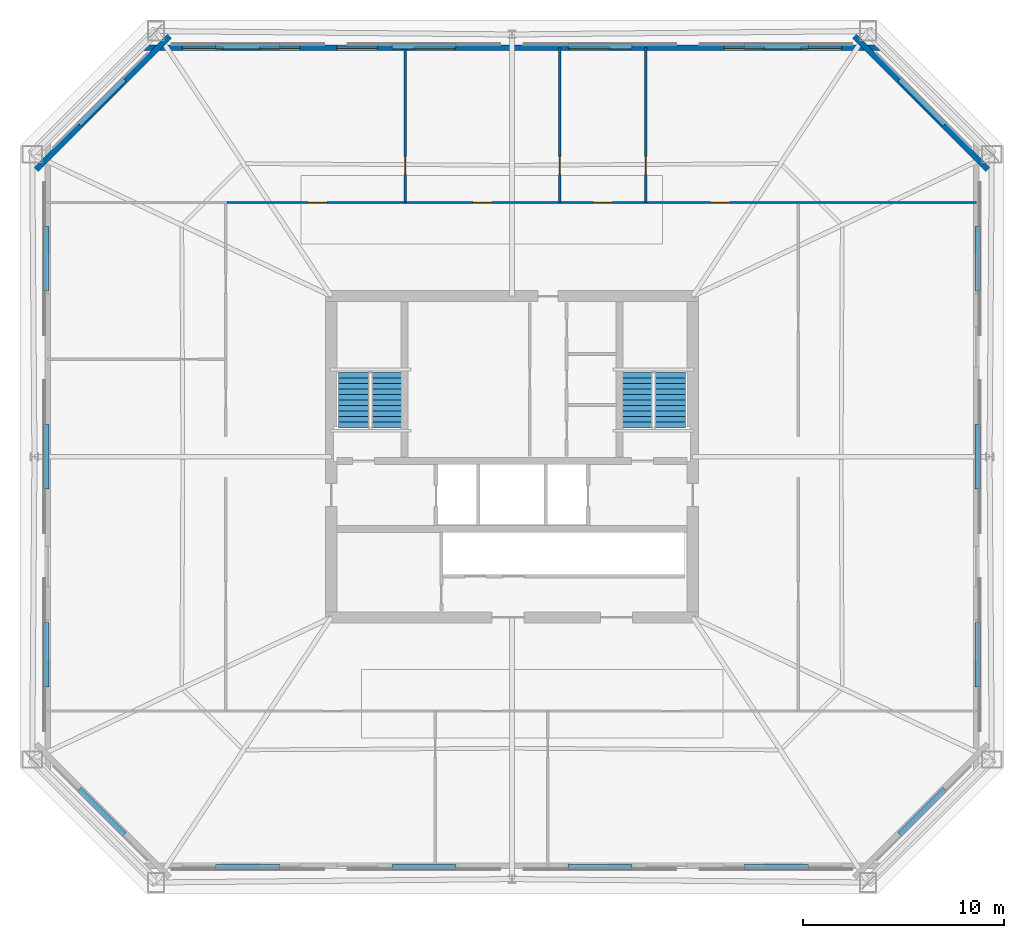
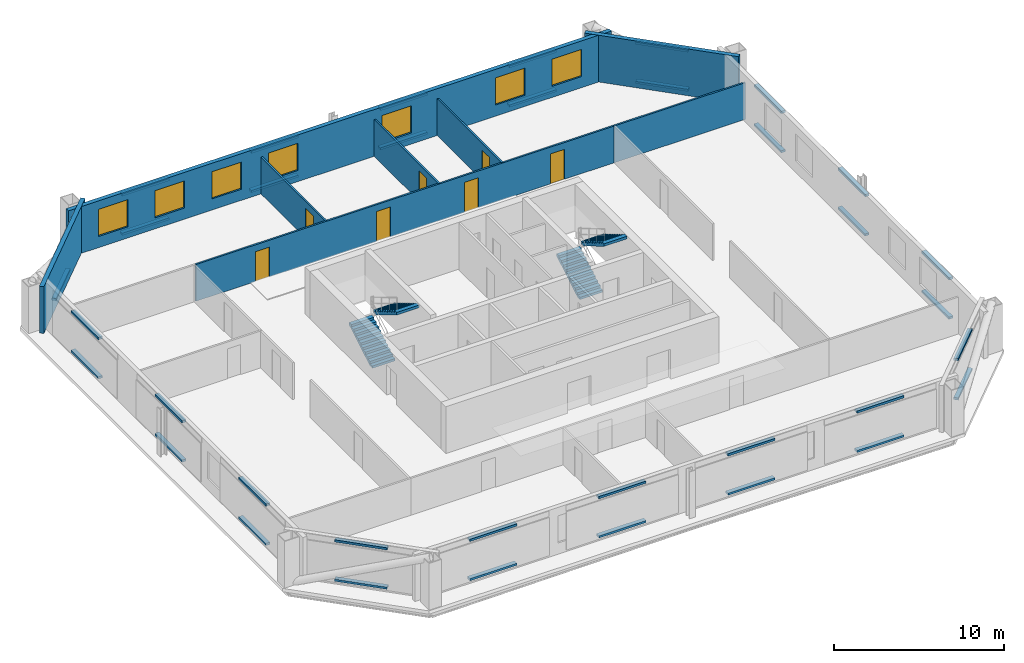
# One storey, part 4 of 6: 36 discrete accessories, 8 walls, 7 doors, 7 windows, 4 stair flights, 14 openings, 2 elements without a shape of their own.
"""IFC4 building model written with IfcOpenShell, lengths in metres."""

from ifc_helpers import new_model, si_unit, direction, frame, frame_2d, origin, origin_2d, place, context, subcontext, project, spatial, polyline, rectangle, outline, extrude, material, layer, layer_set, type_object, element, fill, aggregate, save


model = new_model("IFC4")

# Units and contexts
model_context = context("Model", 3, precision=1e-05, world=origin(), true_north=direction((0.0, 1.0)))
body_context = subcontext(model_context, "Body", "Model", "MODEL_VIEW")
ifc_project = project(units=[si_unit("LENGTHUNIT", "METRE"), si_unit("AREAUNIT", "SQUARE_METRE"), si_unit("VOLUMEUNIT", "CUBIC_METRE"), si_unit("PLANEANGLEUNIT", "RADIAN"), si_unit("MASSUNIT", "GRAM", prefix="KILO")], contexts=[model_context])

# Site, building, storey
site_placement = place(None, origin())
site = spatial("IfcSite", under=ifc_project, at=site_placement, CompositionType="ELEMENT")
building_placement = place(site_placement, origin())
building = spatial("IfcBuilding", under=site, at=building_placement, Name="Caelvoria Tower", CompositionType="ELEMENT")
storey_placement = place(building_placement, frame((0.0, 0.0, 152.800048828125)))
storey = spatial("IfcBuildingStorey", under=building, at=storey_placement, Name="L40", CompositionType="ELEMENT", Elevation=152.800048828125)

# Wall
ifc_material_1 = material(Name="Precast Concrete C40/50 with Bronze Cladding", Category="concrete")
ifc_layer_1 = layer(ifc_material_1, 0.280029296875, Name="Precast Concrete C40/50 with Bronze Cladding")
ifc_layer_set_1 = layer_set([ifc_layer_1], Name="Exterior Precast Concrete C40/50 Bronze-Clad Facade Wall 280 - Precast Concrete C40/50 with Bronze Cladding")
wall_type_1 = type_object("IfcWallType", Name="Exterior Precast Concrete C40/50 Bronze-Clad Facade Wall 280", PredefinedType="STANDARD", material=ifc_layer_set_1)
wall_1_placement = place(storey_placement, frame((69.69384765625, 46.304443359375, 0.0), z_axis=(0.0, 0.0, 1.0), x_axis=(-0.707106781187, 0.707106781187, 0.0)))
element("IfcWall", 1, at=wall_1_placement, inside=storey, type_object=wall_type_1, Name="Exterior Facade Wall L40-E3", PredefinedType="STANDARD", context=body_context, shape_type="SweptSolid", body=[
    extrude(rectangle(XDim=9.3896484375, YDim=0.280029296875, at=frame_2d((4.69482421875, 0.0))), origin(), (0.0, 0.0, 1.0), 3.35986328125),
])

# Wall, openings, windows
wall_2_placement = place(storey_placement, frame((64.43994140625, 52.3701171875, 0.0), z_axis=(0.0, 0.0, 1.0), x_axis=(-1.0, 0.0, 0.0)))
wall_2 = element("IfcWall", 2, at=wall_2_placement, inside=storey, type_object=wall_type_1, Name="Exterior Facade Wall L40-E4", PredefinedType="STANDARD", context=body_context, shape_type="SweptSolid", body=[
    extrude(rectangle(XDim=36.8798828125, YDim=0.280029296875, at=frame_2d((18.43994140625, 0.0))), origin(), (0.0, 0.0, 1.0), 3.35986328125),
])
opening_1_placement = place(wall_2_placement, frame((2.026611328125, 0.0, 0.800048828125)))
opening_1 = element("IfcOpeningElement", 3, at=opening_1_placement, cuts=wall_2, Name="Opening WN-01", PredefinedType="OPENING", context=body_context, shape_type="SweptSolid", body=[
    extrude(rectangle(XDim=2.0, YDim=1.949951171875, at=frame_2d((1.0, 0.97509765625))), frame((0.0, 0.14990234375, 0.0), z_axis=(0.0, -1.0, 0.0), x_axis=(1.0, 0.0, 0.0)), (0.0, 0.0, 1.0), 0.300048828125),
])
opening_2_placement = place(wall_2_placement, frame((5.8798828125, 0.0, 0.800048828125)))
opening_2 = element("IfcOpeningElement", 4, at=opening_2_placement, cuts=wall_2, Name="Opening WN-01", PredefinedType="OPENING", context=body_context, shape_type="SweptSolid", body=[
    extrude(rectangle(XDim=2.0, YDim=1.949951171875, at=frame_2d((1.0, 0.97509765625))), frame((0.0, 0.14990234375, 0.0), z_axis=(0.0, -1.0, 0.0), x_axis=(1.0, 0.0, 0.0)), (0.0, 0.0, 1.0), 0.300048828125),
])
opening_3_placement = place(wall_2_placement, frame((13.586669921875, 0.0, 0.800048828125)))
opening_3 = element("IfcOpeningElement", 5, at=opening_3_placement, cuts=wall_2, Name="Opening WN-01", PredefinedType="OPENING", context=body_context, shape_type="SweptSolid", body=[
    extrude(rectangle(XDim=2.0, YDim=1.949951171875, at=frame_2d((1.0, 0.97509765625))), frame((0.0, 0.14990234375, 0.0), z_axis=(0.0, -1.0, 0.0), x_axis=(1.0, 0.0, 0.0)), (0.0, 0.0, 1.0), 0.300048828125),
])
opening_4_placement = place(wall_2_placement, frame((21.293212890625, 0.0, 0.800048828125)))
opening_4 = element("IfcOpeningElement", 6, at=opening_4_placement, cuts=wall_2, Name="Opening WN-01", PredefinedType="OPENING", context=body_context, shape_type="SweptSolid", body=[
    extrude(rectangle(XDim=2.0, YDim=1.949951171875, at=frame_2d((1.0, 0.97509765625))), frame((0.0, 0.14990234375, 0.0), z_axis=(0.0, -1.0, 0.0), x_axis=(1.0, 0.0, 0.0)), (0.0, 0.0, 1.0), 0.300048828125),
])
opening_5_placement = place(wall_2_placement, frame((25.146728515625, 0.0, 0.800048828125)))
opening_5 = element("IfcOpeningElement", 7, at=opening_5_placement, cuts=wall_2, Name="Opening WN-01", PredefinedType="OPENING", context=body_context, shape_type="SweptSolid", body=[
    extrude(rectangle(XDim=2.0, YDim=1.949951171875, at=frame_2d((1.0, 0.97509765625))), frame((0.0, 0.14990234375, 0.0), z_axis=(0.0, -1.0, 0.0), x_axis=(1.0, 0.0, 0.0)), (0.0, 0.0, 1.0), 0.300048828125),
])
opening_6_placement = place(wall_2_placement, frame((29.0, 0.0, 0.800048828125)))
opening_6 = element("IfcOpeningElement", 8, at=opening_6_placement, cuts=wall_2, Name="Opening WN-01", PredefinedType="OPENING", context=body_context, shape_type="SweptSolid", body=[
    extrude(rectangle(XDim=2.0, YDim=1.949951171875, at=frame_2d((1.0, 0.97509765625))), frame((0.0, 0.14990234375, 0.0), z_axis=(0.0, -1.0, 0.0), x_axis=(1.0, 0.0, 0.0)), (0.0, 0.0, 1.0), 0.300048828125),
])
opening_7_placement = place(wall_2_placement, frame((32.853271484375, 0.0, 0.800048828125)))
opening_7 = element("IfcOpeningElement", 9, at=opening_7_placement, cuts=wall_2, Name="Opening WN-01", PredefinedType="OPENING", context=body_context, shape_type="SweptSolid", body=[
    extrude(rectangle(XDim=2.0, YDim=1.949951171875, at=frame_2d((1.0, 0.97509765625))), frame((0.0, 0.14990234375, 0.0), z_axis=(0.0, -1.0, 0.0), x_axis=(1.0, 0.0, 0.0)), (0.0, 0.0, 1.0), 0.300048828125),
])
ifc_material_2 = material(Name="Low-E Tinted Glass in Bronze Aluminium Frame", Category="aluminium")
window_type = type_object("IfcWindowType", Name="Tower Office Vision Window 2000x1950", PartitioningType="SINGLE_PANEL", PredefinedType="WINDOW", material=ifc_material_2)
window_1_placement = place(opening_1_placement, origin())
window_1 = element("IfcWindow", 10, at=window_1_placement, inside=storey, type_object=window_type, Name="Facade Window L40-E4-00", OverallHeight=1.949951171875, OverallWidth=2.0, PartitioningType="SINGLE_PANEL", PredefinedType="WINDOW", context=body_context, shape_type="SweptSolid", body=[
    extrude(rectangle(XDim=2.0, YDim=1.949951171875, at=frame_2d((1.0, 0.97509765625))), frame((0.0, 0.030029296875, 0.0), z_axis=(0.0, -1.0, 0.0), x_axis=(1.0, 0.0, 0.0)), (0.0, 0.0, 1.0), 0.06005859375),
])
fill(opening_1, window_1)
window_2_placement = place(opening_2_placement, origin())
window_2 = element("IfcWindow", 11, at=window_2_placement, inside=storey, type_object=window_type, Name="Facade Window L40-E4-01", OverallHeight=1.949951171875, OverallWidth=2.0, PartitioningType="SINGLE_PANEL", PredefinedType="WINDOW", context=body_context, shape_type="SweptSolid", body=[
    extrude(rectangle(XDim=2.0, YDim=1.949951171875, at=frame_2d((1.0, 0.97509765625))), frame((0.0, 0.030029296875, 0.0), z_axis=(0.0, -1.0, 0.0), x_axis=(1.0, 0.0, 0.0)), (0.0, 0.0, 1.0), 0.06005859375),
])
fill(opening_2, window_2)
window_3_placement = place(opening_3_placement, origin())
window_3 = element("IfcWindow", 12, at=window_3_placement, inside=storey, type_object=window_type, Name="Facade Window L40-E4-03", OverallHeight=1.949951171875, OverallWidth=2.0, PartitioningType="SINGLE_PANEL", PredefinedType="WINDOW", context=body_context, shape_type="SweptSolid", body=[
    extrude(rectangle(XDim=2.0, YDim=1.949951171875, at=frame_2d((1.0, 0.97509765625))), frame((0.0, 0.030029296875, 0.0), z_axis=(0.0, -1.0, 0.0), x_axis=(1.0, 0.0, 0.0)), (0.0, 0.0, 1.0), 0.06005859375),
])
fill(opening_3, window_3)
window_4_placement = place(opening_4_placement, origin())
window_4 = element("IfcWindow", 13, at=window_4_placement, inside=storey, type_object=window_type, Name="Facade Window L40-E4-05", OverallHeight=1.949951171875, OverallWidth=2.0, PartitioningType="SINGLE_PANEL", PredefinedType="WINDOW", context=body_context, shape_type="SweptSolid", body=[
    extrude(rectangle(XDim=2.0, YDim=1.949951171875, at=frame_2d((1.0, 0.97509765625))), frame((0.0, 0.030029296875, 0.0), z_axis=(0.0, -1.0, 0.0), x_axis=(1.0, 0.0, 0.0)), (0.0, 0.0, 1.0), 0.06005859375),
])
fill(opening_4, window_4)
window_5_placement = place(opening_5_placement, origin())
window_5 = element("IfcWindow", 14, at=window_5_placement, inside=storey, type_object=window_type, Name="Facade Window L40-E4-06", OverallHeight=1.949951171875, OverallWidth=2.0, PartitioningType="SINGLE_PANEL", PredefinedType="WINDOW", context=body_context, shape_type="SweptSolid", body=[
    extrude(rectangle(XDim=2.0, YDim=1.949951171875, at=frame_2d((1.0, 0.97509765625))), frame((0.0, 0.030029296875, 0.0), z_axis=(0.0, -1.0, 0.0), x_axis=(1.0, 0.0, 0.0)), (0.0, 0.0, 1.0), 0.06005859375),
])
fill(opening_5, window_5)
window_6_placement = place(opening_6_placement, origin())
window_6 = element("IfcWindow", 15, at=window_6_placement, inside=storey, type_object=window_type, Name="Facade Window L40-E4-07", OverallHeight=1.949951171875, OverallWidth=2.0, PartitioningType="SINGLE_PANEL", PredefinedType="WINDOW", context=body_context, shape_type="SweptSolid", body=[
    extrude(rectangle(XDim=2.0, YDim=1.949951171875, at=frame_2d((1.0, 0.97509765625))), frame((0.0, 0.030029296875, 0.0), z_axis=(0.0, -1.0, 0.0), x_axis=(1.0, 0.0, 0.0)), (0.0, 0.0, 1.0), 0.06005859375),
])
fill(opening_6, window_6)
window_7_placement = place(opening_7_placement, origin())
window_7 = element("IfcWindow", 16, at=window_7_placement, inside=storey, type_object=window_type, Name="Facade Window L40-E4-08", OverallHeight=1.949951171875, OverallWidth=2.0, PartitioningType="SINGLE_PANEL", PredefinedType="WINDOW", context=body_context, shape_type="SweptSolid", body=[
    extrude(rectangle(XDim=2.0, YDim=1.949951171875, at=frame_2d((1.0, 0.97509765625))), frame((0.0, 0.030029296875, 0.0), z_axis=(0.0, -1.0, 0.0), x_axis=(1.0, 0.0, 0.0)), (0.0, 0.0, 1.0), 0.06005859375),
])
fill(opening_7, window_7)

# Wall
wall_3_placement = place(storey_placement, frame((28.945556640625, 52.94384765625, 0.0), z_axis=(0.0, 0.0, 1.0), x_axis=(-0.707106781187, -0.707106781187, 0.0)))
element("IfcWall", 17, at=wall_3_placement, inside=storey, type_object=wall_type_1, Name="Exterior Facade Wall L40-E5", PredefinedType="STANDARD", context=body_context, shape_type="SweptSolid", body=[
    extrude(rectangle(XDim=9.3896484375, YDim=0.280029296875, at=frame_2d((4.69482421875, 0.0))), origin(), (0.0, 0.0, 1.0), 3.35986328125),
])

# Wall, opening, door
ifc_material_3 = material(Name="Acoustic Gypsum Board on Light-Gauge Stud", Category="gypsum")
ifc_layer_2 = layer(ifc_material_3, 0.1201171875, Name="Acoustic Gypsum Board on Light-Gauge Stud")
ifc_layer_set_2 = layer_set([ifc_layer_2], Name="Tenant Suite Acoustic Partition Wall 120 - Acoustic Gypsum Board on Light-Gauge Stud")
wall_type_2 = type_object("IfcWallType", Name="Tenant Suite Acoustic Partition Wall 120", PredefinedType="PARTITIONING", material=ifc_layer_set_2)
wall_4_placement = place(storey_placement, frame((40.682861328125, 44.659912109375, 0.0), z_axis=(0.0, 0.0, 1.0), x_axis=(0.0, 1.0, 0.0)))
wall_4 = element("IfcWall", 18, at=wall_4_placement, inside=storey, type_object=wall_type_2, Name="Interior Partition IW-L40-ND-00-0", PredefinedType="PARTITIONING", context=body_context, shape_type="SweptSolid", body=[
    extrude(rectangle(XDim=7.710205078125, YDim=0.1201171875, at=frame_2d((3.85498046875, 0.0))), origin(), (0.0, 0.0, 1.0), 2.639892578125),
])
opening_8_placement = place(wall_4_placement, frame((1.39990234375, 0.0, 0.0)))
opening_8 = element("IfcOpeningElement", 19, at=opening_8_placement, cuts=wall_4, Name="Opening ID-06", PredefinedType="OPENING", context=body_context, shape_type="SweptSolid", body=[
    extrude(rectangle(XDim=0.89990234375, YDim=2.14990234375, at=frame_2d((0.449951171875, 1.074951171875))), frame((0.0, 0.070068359375, 0.0), z_axis=(0.0, -1.0, 0.0), x_axis=(1.0, 0.0, 0.0)), (0.0, 0.0, 1.0), 0.14013671875),
])
ifc_material_4 = material(Name="Engineered Andean Oak Veneer Door", Category="wood")
door_type_1 = type_object("IfcDoorType", Name="Interior Timber Door 900x2150", OperationType="NOTDEFINED", PredefinedType="DOOR", material=ifc_material_4)
door_1_placement = place(opening_8_placement, origin())
door_1 = element("IfcDoor", 20, at=door_1_placement, inside=storey, type_object=door_type_1, Name="Interior Door DR-L40-NM-00-0", OperationType="SINGLE_SWING_RIGHT", OverallHeight=2.14990234375, OverallWidth=0.89990234375, PredefinedType="DOOR", context=body_context, shape_type="SweptSolid", body=[
    extrude(rectangle(XDim=0.89990234375, YDim=2.14990234375, at=frame_2d((0.449951171875, 1.074951171875))), frame((0.0, 0.02490234375, 0.0), z_axis=(0.0, -1.0, 0.0), x_axis=(1.0, 0.0, 0.0)), (0.0, 0.0, 1.0), 0.050048828125),
])
fill(opening_8, door_1)

wall_5_placement = place(storey_placement, frame((48.379638671875, 44.659912109375, 0.0), z_axis=(0.0, 0.0, 1.0), x_axis=(0.0, 1.0, 0.0)))
wall_5 = element("IfcWall", 21, at=wall_5_placement, inside=storey, type_object=wall_type_2, Name="Interior Partition IW-L40-ND-01-0", PredefinedType="PARTITIONING", context=body_context, shape_type="SweptSolid", body=[
    extrude(rectangle(XDim=7.710205078125, YDim=0.1201171875, at=frame_2d((3.85498046875, 0.0))), origin(), (0.0, 0.0, 1.0), 2.639892578125),
])
opening_9_placement = place(wall_5_placement, frame((1.39990234375, 0.0, 0.0)))
opening_9 = element("IfcOpeningElement", 22, at=opening_9_placement, cuts=wall_5, Name="Opening ID-06", PredefinedType="OPENING", context=body_context, shape_type="SweptSolid", body=[
    extrude(rectangle(XDim=0.89990234375, YDim=2.14990234375, at=frame_2d((0.449951171875, 1.074951171875))), frame((0.0, 0.070068359375, 0.0), z_axis=(0.0, -1.0, 0.0), x_axis=(1.0, 0.0, 0.0)), (0.0, 0.0, 1.0), 0.14013671875),
])
door_2_placement = place(opening_9_placement, origin())
door_2 = element("IfcDoor", 23, at=door_2_placement, inside=storey, type_object=door_type_1, Name="Interior Door DR-L40-NM-01-0", OperationType="SINGLE_SWING_LEFT", OverallHeight=2.14990234375, OverallWidth=0.89990234375, PredefinedType="DOOR", context=body_context, shape_type="SweptSolid", body=[
    extrude(rectangle(XDim=0.89990234375, YDim=2.14990234375, at=frame_2d((0.449951171875, 1.074951171875))), frame((0.0, 0.02490234375, 0.0), z_axis=(0.0, -1.0, 0.0), x_axis=(1.0, 0.0, 0.0)), (0.0, 0.0, 1.0), 0.050048828125),
])
fill(opening_9, door_2)

wall_6_placement = place(storey_placement, frame((52.662109375, 44.659912109375, 0.0), z_axis=(0.0, 0.0, 1.0), x_axis=(0.0, 1.0, 0.0)))
wall_6 = element("IfcWall", 24, at=wall_6_placement, inside=storey, type_object=wall_type_2, Name="Interior Partition IW-L40-ND-02-0", PredefinedType="PARTITIONING", context=body_context, shape_type="SweptSolid", body=[
    extrude(rectangle(XDim=7.710205078125, YDim=0.1201171875, at=frame_2d((3.85498046875, 0.0))), origin(), (0.0, 0.0, 1.0), 2.639892578125),
])
opening_10_placement = place(wall_6_placement, frame((1.39990234375, 0.0, 0.0)))
opening_10 = element("IfcOpeningElement", 25, at=opening_10_placement, cuts=wall_6, Name="Opening ID-06", PredefinedType="OPENING", context=body_context, shape_type="SweptSolid", body=[
    extrude(rectangle(XDim=0.89990234375, YDim=2.14990234375, at=frame_2d((0.449951171875, 1.074951171875))), frame((0.0, 0.070068359375, 0.0), z_axis=(0.0, -1.0, 0.0), x_axis=(1.0, 0.0, 0.0)), (0.0, 0.0, 1.0), 0.14013671875),
])
door_3_placement = place(opening_10_placement, origin())
door_3 = element("IfcDoor", 26, at=door_3_placement, inside=storey, type_object=door_type_1, Name="Interior Door DR-L40-NM-02-0", OperationType="SINGLE_SWING_RIGHT", OverallHeight=2.14990234375, OverallWidth=0.89990234375, PredefinedType="DOOR", context=body_context, shape_type="SweptSolid", body=[
    extrude(rectangle(XDim=0.89990234375, YDim=2.14990234375, at=frame_2d((0.449951171875, 1.074951171875))), frame((0.0, 0.02490234375, 0.0), z_axis=(0.0, -1.0, 0.0), x_axis=(1.0, 0.0, 0.0)), (0.0, 0.0, 1.0), 0.050048828125),
])
fill(opening_10, door_3)

# Wall, openings, doors
wall_7_placement = place(storey_placement, frame((31.800048828125, 44.659912109375, 0.0), z_axis=(0.0, 0.0, 1.0), x_axis=(1.0, 0.0, 0.0)))
wall_7 = element("IfcWall", 27, at=wall_7_placement, inside=storey, type_object=wall_type_2, Name="Interior Partition IW-L40-NCW-0", PredefinedType="PARTITIONING", context=body_context, shape_type="SweptSolid", body=[
    extrude(rectangle(XDim=28.39990234375, YDim=0.1201171875, at=frame_2d((14.199951171875, 0.0))), origin(), (0.0, 0.0, 1.0), 2.639892578125),
])
opening_11_placement = place(wall_7_placement, frame((4.036376953125, 0.0, 0.0)))
opening_11 = element("IfcOpeningElement", 28, at=opening_11_placement, cuts=wall_7, Name="Opening ID-05", PredefinedType="OPENING", context=body_context, shape_type="SweptSolid", body=[
    extrude(rectangle(XDim=0.949951171875, YDim=2.14990234375, at=frame_2d((0.47509765625, 1.074951171875))), frame((0.0, 0.070068359375, 0.0), z_axis=(0.0, -1.0, 0.0), x_axis=(1.0, 0.0, 0.0)), (0.0, 0.0, 1.0), 0.14013671875),
])
opening_12_placement = place(wall_7_placement, frame((12.256103515625, 0.0, 0.0)))
opening_12 = element("IfcOpeningElement", 29, at=opening_12_placement, cuts=wall_7, Name="Opening ID-05", PredefinedType="OPENING", context=body_context, shape_type="SweptSolid", body=[
    extrude(rectangle(XDim=0.949951171875, YDim=2.14990234375, at=frame_2d((0.47509765625, 1.074951171875))), frame((0.0, 0.070068359375, 0.0), z_axis=(0.0, -1.0, 0.0), x_axis=(1.0, 0.0, 0.0)), (0.0, 0.0, 1.0), 0.14013671875),
])
opening_13_placement = place(wall_7_placement, frame((18.245849609375, 0.0, 0.0)))
opening_13 = element("IfcOpeningElement", 30, at=opening_13_placement, cuts=wall_7, Name="Opening ID-05", PredefinedType="OPENING", context=body_context, shape_type="SweptSolid", body=[
    extrude(rectangle(XDim=0.949951171875, YDim=2.14990234375, at=frame_2d((0.47509765625, 1.074951171875))), frame((0.0, 0.070068359375, 0.0), z_axis=(0.0, -1.0, 0.0), x_axis=(1.0, 0.0, 0.0)), (0.0, 0.0, 1.0), 0.14013671875),
])
opening_14_placement = place(wall_7_placement, frame((24.0859375, 0.0, 0.0)))
opening_14 = element("IfcOpeningElement", 31, at=opening_14_placement, cuts=wall_7, Name="Opening ID-05", PredefinedType="OPENING", context=body_context, shape_type="SweptSolid", body=[
    extrude(rectangle(XDim=0.949951171875, YDim=2.14990234375, at=frame_2d((0.47509765625, 1.074951171875))), frame((0.0, 0.070068359375, 0.0), z_axis=(0.0, -1.0, 0.0), x_axis=(1.0, 0.0, 0.0)), (0.0, 0.0, 1.0), 0.14013671875),
])
door_type_2 = type_object("IfcDoorType", Name="Interior Timber Door 950x2150", OperationType="NOTDEFINED", PredefinedType="DOOR", material=ifc_material_4)
door_4_placement = place(opening_11_placement, origin())
door_4 = element("IfcDoor", 32, at=door_4_placement, inside=storey, type_object=door_type_2, Name="Interior Door DR-L40-NC-00-0", OperationType="SINGLE_SWING_LEFT", OverallHeight=2.14990234375, OverallWidth=0.949951171875, PredefinedType="DOOR", context=body_context, shape_type="SweptSolid", body=[
    extrude(rectangle(XDim=0.949951171875, YDim=2.14990234375, at=frame_2d((0.47509765625, 1.074951171875))), frame((0.0, 0.02490234375, 0.0), z_axis=(0.0, -1.0, 0.0), x_axis=(1.0, 0.0, 0.0)), (0.0, 0.0, 1.0), 0.050048828125),
])
fill(opening_11, door_4)
door_5_placement = place(opening_12_placement, origin())
door_5 = element("IfcDoor", 33, at=door_5_placement, inside=storey, type_object=door_type_2, Name="Interior Door DR-L40-NC-01-0", OperationType="SINGLE_SWING_RIGHT", OverallHeight=2.14990234375, OverallWidth=0.949951171875, PredefinedType="DOOR", context=body_context, shape_type="SweptSolid", body=[
    extrude(rectangle(XDim=0.949951171875, YDim=2.14990234375, at=frame_2d((0.47509765625, 1.074951171875))), frame((0.0, 0.02490234375, 0.0), z_axis=(0.0, -1.0, 0.0), x_axis=(1.0, 0.0, 0.0)), (0.0, 0.0, 1.0), 0.050048828125),
])
fill(opening_12, door_5)
door_6_placement = place(opening_13_placement, origin())
door_6 = element("IfcDoor", 34, at=door_6_placement, inside=storey, type_object=door_type_2, Name="Interior Door DR-L40-NC-02-0", OperationType="SINGLE_SWING_LEFT", OverallHeight=2.14990234375, OverallWidth=0.949951171875, PredefinedType="DOOR", context=body_context, shape_type="SweptSolid", body=[
    extrude(rectangle(XDim=0.949951171875, YDim=2.14990234375, at=frame_2d((0.47509765625, 1.074951171875))), frame((0.0, 0.02490234375, 0.0), z_axis=(0.0, -1.0, 0.0), x_axis=(1.0, 0.0, 0.0)), (0.0, 0.0, 1.0), 0.050048828125),
])
fill(opening_13, door_6)
door_7_placement = place(opening_14_placement, origin())
door_7 = element("IfcDoor", 35, at=door_7_placement, inside=storey, type_object=door_type_2, Name="Interior Door DR-L40-NC-03-0", OperationType="SINGLE_SWING_RIGHT", OverallHeight=2.14990234375, OverallWidth=0.949951171875, PredefinedType="DOOR", context=body_context, shape_type="SweptSolid", body=[
    extrude(rectangle(XDim=0.949951171875, YDim=2.14990234375, at=frame_2d((0.47509765625, 1.074951171875))), frame((0.0, 0.02490234375, 0.0), z_axis=(0.0, -1.0, 0.0), x_axis=(1.0, 0.0, 0.0)), (0.0, 0.0, 1.0), 0.050048828125),
])
fill(opening_14, door_7)

# Wall
wall_8_placement = place(storey_placement, frame((60.199951171875, 44.659912109375, 0.0), z_axis=(0.0, 0.0, 1.0), x_axis=(1.0, 0.0, 0.0)))
element("IfcWall", 36, at=wall_8_placement, inside=storey, type_object=wall_type_2, Name="Interior Partition IW-L40-BNE-0", PredefinedType="PARTITIONING", context=body_context, shape_type="SweptSolid", body=[
    extrude(rectangle(XDim=8.920166015625, YDim=0.1201171875, at=frame_2d((4.4599609375, 0.0))), origin(), (0.0, 0.0, 1.0), 2.639892578125),
])

# Stair, stair flights
ifc_material_5 = material(Name="Concrete C40/50", Category="concrete")
stair_type = type_object("IfcStairType", Name="Core Smokeproof Dogleg Stair Concrete C40/50", PredefinedType="HALF_TURN_STAIR", material=ifc_material_5)
stair_1_placement = place(storey_placement, origin())
stair_1 = element("IfcStair", 37, at=stair_1_placement, inside=storey, type_object=stair_type, Name="ST-01 Smokeproof Exit Stair L40", PredefinedType="HALF_TURN_STAIR")
ifc_material_6 = material(Name="Precast Concrete C40/50", Category="concrete")
stair_flight_type = type_object("IfcStairFlightType", Name="Precast Concrete C40/50 Stair Flight 1480", PredefinedType="STRAIGHT", material=ifc_material_6)
stair_flight_1_placement = place(storey_placement, frame((38.1298828125, 33.449951171875, 0.0), z_axis=(0.0, 0.0, 1.0), x_axis=(0.0, 1.0, 0.0)))
stair_flight_1 = element("IfcStairFlight", 38, at=stair_flight_1_placement, type_object=stair_flight_type, Name="ST-01 flight 1", NumberOfRisers=11, NumberOfTreads=10, PredefinedType="STRAIGHT", RiserHeight=0.1636, TreadLength=0.275, context=body_context, shape_type="SweptSolid", body=[
    extrude(outline(polyline([(0.0, 0.0), (0.0, 0.16357421875), (0.27490234375, 0.16357421875), (0.27490234375, 0.3271484375), (0.550048828125, 0.3271484375), (0.550048828125, 0.49072265625), (0.824951171875, 0.49072265625), (0.824951171875, 0.654296875), (1.10009765625, 0.654296875), (1.10009765625, 0.818115234375), (1.375, 0.818115234375), (1.375, 0.981689453125), (1.64990234375, 0.981689453125), (1.64990234375, 1.145263671875), (1.925048828125, 1.145263671875), (1.925048828125, 1.308837890625), (2.199951171875, 1.308837890625), (2.199951171875, 1.472412109375), (2.47509765625, 1.472412109375), (2.47509765625, 1.635986328125), (2.75, 1.635986328125), (2.75, 1.799560546875), (2.75, 1.449951171875), (0.312744140625, 0.0), (0.0, 0.0)])), frame((0.0, 0.77001953125, 0.0), z_axis=(0.0, -1.0, 0.0), x_axis=(1.0, 0.0, 0.0)), (0.0, 0.0, 1.0), 1.5400390625),
])
stair_flight_2_placement = place(storey_placement, frame((39.77001953125, 36.199951171875, 1.800048828125), z_axis=(0.0, 0.0, 1.0), x_axis=(0.0, -1.0, 0.0)))
stair_flight_2 = element("IfcStairFlight", 39, at=stair_flight_2_placement, type_object=stair_flight_type, Name="ST-01 flight 2", NumberOfRisers=11, NumberOfTreads=10, PredefinedType="STRAIGHT", RiserHeight=0.1636, TreadLength=0.275, context=body_context, shape_type="SweptSolid", body=[
    extrude(outline(polyline([(0.0, 0.0), (0.0, 0.16357421875), (0.27490234375, 0.16357421875), (0.27490234375, 0.3271484375), (0.550048828125, 0.3271484375), (0.550048828125, 0.49072265625), (0.824951171875, 0.49072265625), (0.824951171875, 0.654296875), (1.10009765625, 0.654296875), (1.10009765625, 0.818115234375), (1.375, 0.818115234375), (1.375, 0.981689453125), (1.64990234375, 0.981689453125), (1.64990234375, 1.145263671875), (1.925048828125, 1.145263671875), (1.925048828125, 1.308837890625), (2.199951171875, 1.308837890625), (2.199951171875, 1.472412109375), (2.47509765625, 1.472412109375), (2.47509765625, 1.635986328125), (2.75, 1.635986328125), (2.75, 1.799560546875), (2.75, 1.449951171875), (0.312744140625, 0.0), (0.0, 0.0)])), frame((0.0, 0.77001953125, 0.0), z_axis=(0.0, -1.0, 0.0), x_axis=(1.0, 0.0, 0.0)), (0.0, 0.0, 1.0), 1.5400390625),
])
aggregate(stair_1, [stair_flight_1, stair_flight_2])

stair_2_placement = place(storey_placement, origin())
stair_2 = element("IfcStair", 40, at=stair_2_placement, inside=storey, type_object=stair_type, Name="ST-02 Smokeproof Exit Stair L40", PredefinedType="HALF_TURN_STAIR")
stair_flight_3_placement = place(storey_placement, frame((52.22998046875, 33.449951171875, 0.0), z_axis=(0.0, 0.0, 1.0), x_axis=(0.0, 1.0, 0.0)))
stair_flight_3 = element("IfcStairFlight", 41, at=stair_flight_3_placement, type_object=stair_flight_type, Name="ST-02 flight 1", NumberOfRisers=11, NumberOfTreads=10, PredefinedType="STRAIGHT", RiserHeight=0.1636, TreadLength=0.275, context=body_context, shape_type="SweptSolid", body=[
    extrude(outline(polyline([(0.0, 0.0), (0.0, 0.16357421875), (0.27490234375, 0.16357421875), (0.27490234375, 0.3271484375), (0.550048828125, 0.3271484375), (0.550048828125, 0.49072265625), (0.824951171875, 0.49072265625), (0.824951171875, 0.654296875), (1.10009765625, 0.654296875), (1.10009765625, 0.818115234375), (1.375, 0.818115234375), (1.375, 0.981689453125), (1.64990234375, 0.981689453125), (1.64990234375, 1.145263671875), (1.925048828125, 1.145263671875), (1.925048828125, 1.308837890625), (2.199951171875, 1.308837890625), (2.199951171875, 1.472412109375), (2.47509765625, 1.472412109375), (2.47509765625, 1.635986328125), (2.75, 1.635986328125), (2.75, 1.799560546875), (2.75, 1.449951171875), (0.312744140625, 0.0), (0.0, 0.0)])), frame((0.0, 0.77001953125, 0.0), z_axis=(0.0, -1.0, 0.0), x_axis=(1.0, 0.0, 0.0)), (0.0, 0.0, 1.0), 1.5400390625),
])
stair_flight_4_placement = place(storey_placement, frame((53.8701171875, 36.199951171875, 1.800048828125), z_axis=(0.0, 0.0, 1.0), x_axis=(0.0, -1.0, 0.0)))
stair_flight_4 = element("IfcStairFlight", 42, at=stair_flight_4_placement, type_object=stair_flight_type, Name="ST-02 flight 2", NumberOfRisers=11, NumberOfTreads=10, PredefinedType="STRAIGHT", RiserHeight=0.1636, TreadLength=0.275, context=body_context, shape_type="SweptSolid", body=[
    extrude(outline(polyline([(0.0, 0.0), (0.0, 0.16357421875), (0.27490234375, 0.16357421875), (0.27490234375, 0.3271484375), (0.550048828125, 0.3271484375), (0.550048828125, 0.49072265625), (0.824951171875, 0.49072265625), (0.824951171875, 0.654296875), (1.10009765625, 0.654296875), (1.10009765625, 0.818115234375), (1.375, 0.818115234375), (1.375, 0.981689453125), (1.64990234375, 0.981689453125), (1.64990234375, 1.145263671875), (1.925048828125, 1.145263671875), (1.925048828125, 1.308837890625), (2.199951171875, 1.308837890625), (2.199951171875, 1.472412109375), (2.47509765625, 1.472412109375), (2.47509765625, 1.635986328125), (2.75, 1.635986328125), (2.75, 1.799560546875), (2.75, 1.449951171875), (0.312744140625, 0.0), (0.0, 0.0)])), frame((0.0, 0.77001953125, 0.0), z_axis=(0.0, -1.0, 0.0), x_axis=(1.0, 0.0, 0.0)), (0.0, 0.0, 1.0), 1.5400390625),
])
aggregate(stair_2, [stair_flight_3, stair_flight_4])

# Discrete accessories
ifc_material_7 = material(Name="Anodised Bronze Stainless Bracket", Category="bronze")
discrete_accessory_type = type_object("IfcDiscreteAccessoryType", Name="Solar Screen Outrigger Support Bracket", PredefinedType="BRACKET", material=ifc_material_7)
for number, where, z_axis, x_axis, name in (
    (43, (32.844970703125, 11.552978515625, 0.240234375), (0.0, 0.0, 1.0), (1.0, 0.0, 0.0), "Solar Screen Bracket L40-E0-00"),
    (44, (32.844970703125, 11.552978515625, 3.06005859375), (0.0, 0.0, 1.0), (1.0, 0.0, 0.0), "Upper Screen Band Bracket L40-E0-00"),
    (45, (41.614990234375, 11.552978515625, 0.240234375), (0.0, 0.0, 1.0), (1.0, 0.0, 0.0), "Solar Screen Bracket L40-E0-01"),
    (46, (41.614990234375, 11.552978515625, 3.06005859375), (0.0, 0.0, 1.0), (1.0, 0.0, 0.0), "Upper Screen Band Bracket L40-E0-01"),
    (47, (50.385009765625, 11.552978515625, 0.240234375), (0.0, 0.0, 1.0), (1.0, 0.0, 0.0), "Solar Screen Bracket L40-E0-02"),
    (48, (50.385009765625, 11.552978515625, 3.06005859375), (0.0, 0.0, 1.0), (1.0, 0.0, 0.0), "Upper Screen Band Bracket L40-E0-02"),
    (49, (59.155029296875, 11.552978515625, 0.240234375), (0.0, 0.0, 1.0), (1.0, 0.0, 0.0), "Solar Screen Bracket L40-E0-03"),
    (50, (59.155029296875, 11.552978515625, 3.06005859375), (0.0, 0.0, 1.0), (1.0, 0.0, 0.0), "Upper Screen Band Bracket L40-E0-03"),
    (51, (66.4287109375, 14.3212890625, 0.240234375), (0.0, 0.0, 1.0), (0.707106781187, 0.707106781187, 0.0), "Solar Screen Bracket L40-E1-00"),
    (52, (66.4287109375, 14.3212890625, 3.06005859375), (0.0, 0.0, 1.0), (0.707106781187, 0.707106781187, 0.0), "Upper Screen Band Bracket L40-E1-00"),
    (53, (69.197021484375, 22.139892578125, 0.240234375), (0.0, 0.0, 1.0), (0.0, 1.0, 0.0), "Solar Screen Bracket L40-E2-00"),
    (54, (69.197021484375, 22.139892578125, 3.06005859375), (0.0, 0.0, 1.0), (0.0, 1.0, 0.0), "Upper Screen Band Bracket L40-E2-00"),
    (55, (69.197021484375, 32.0, 0.240234375), (0.0, 0.0, 1.0), (0.0, 1.0, 0.0), "Solar Screen Bracket L40-E2-01"),
    (56, (69.197021484375, 32.0, 3.06005859375), (0.0, 0.0, 1.0), (0.0, 1.0, 0.0), "Upper Screen Band Bracket L40-E2-01"),
    (57, (69.197021484375, 41.860107421875, 0.240234375), (0.0, 0.0, 1.0), (0.0, 1.0, 0.0), "Solar Screen Bracket L40-E2-02"),
    (58, (69.197021484375, 41.860107421875, 3.06005859375), (0.0, 0.0, 1.0), (0.0, 1.0, 0.0), "Upper Screen Band Bracket L40-E2-02"),
    (59, (66.4287109375, 49.6787109375, 0.240234375), (0.0, 0.0, 1.0), (-0.707106781187, 0.707106781187, 0.0), "Solar Screen Bracket L40-E3-00"),
    (60, (66.4287109375, 49.6787109375, 3.06005859375), (0.0, 0.0, 1.0), (-0.707106781187, 0.707106781187, 0.0), "Upper Screen Band Bracket L40-E3-00"),
    (61, (59.155029296875, 52.447021484375, 0.240234375), (0.0, 0.0, 1.0), (-1.0, 0.0, 0.0), "Solar Screen Bracket L40-E4-00"),
    (62, (59.155029296875, 52.447021484375, 3.06005859375), (0.0, 0.0, 1.0), (-1.0, 0.0, 0.0), "Upper Screen Band Bracket L40-E4-00"),
    (63, (50.385009765625, 52.447021484375, 0.240234375), (0.0, 0.0, 1.0), (-1.0, 0.0, 0.0), "Solar Screen Bracket L40-E4-01"),
    (64, (50.385009765625, 52.447021484375, 3.06005859375), (0.0, 0.0, 1.0), (-1.0, 0.0, 0.0), "Upper Screen Band Bracket L40-E4-01"),
    (65, (41.614990234375, 52.447021484375, 0.240234375), (0.0, 0.0, 1.0), (-1.0, 0.0, 0.0), "Solar Screen Bracket L40-E4-02"),
    (66, (41.614990234375, 52.447021484375, 3.06005859375), (0.0, 0.0, 1.0), (-1.0, 0.0, 0.0), "Upper Screen Band Bracket L40-E4-02"),
    (67, (32.844970703125, 52.447021484375, 0.240234375), (0.0, 0.0, 1.0), (-1.0, 0.0, 0.0), "Solar Screen Bracket L40-E4-03"),
    (68, (32.844970703125, 52.447021484375, 3.06005859375), (0.0, 0.0, 1.0), (-1.0, 0.0, 0.0), "Upper Screen Band Bracket L40-E4-03"),
    (69, (25.5712890625, 49.6787109375, 0.240234375), (0.0, 0.0, 1.0), (-0.707106781187, -0.707106781187, 0.0), "Solar Screen Bracket L40-E5-00"),
    (70, (25.5712890625, 49.6787109375, 3.06005859375), (0.0, 0.0, 1.0), (-0.707106781187, -0.707106781187, 0.0), "Upper Screen Band Bracket L40-E5-00"),
    (71, (22.802978515625, 41.860107421875, 0.240234375), (0.0, 0.0, 1.0), (0.0, -1.0, 0.0), "Solar Screen Bracket L40-E6-00"),
    (72, (22.802978515625, 41.860107421875, 3.06005859375), (0.0, 0.0, 1.0), (0.0, -1.0, 0.0), "Upper Screen Band Bracket L40-E6-00"),
    (73, (22.802978515625, 32.0, 0.240234375), (0.0, 0.0, 1.0), (0.0, -1.0, 0.0), "Solar Screen Bracket L40-E6-01"),
    (74, (22.802978515625, 32.0, 3.06005859375), (0.0, 0.0, 1.0), (0.0, -1.0, 0.0), "Upper Screen Band Bracket L40-E6-01"),
    (75, (22.802978515625, 22.139892578125, 0.240234375), (0.0, 0.0, 1.0), (0.0, -1.0, 0.0), "Solar Screen Bracket L40-E6-02"),
    (76, (22.802978515625, 22.139892578125, 3.06005859375), (0.0, 0.0, 1.0), (0.0, -1.0, 0.0), "Upper Screen Band Bracket L40-E6-02"),
    (77, (25.5712890625, 14.3212890625, 0.240234375), (0.0, 0.0, 1.0), (0.707106781187, -0.707106781187, 0.0), "Solar Screen Bracket L40-E7-00"),
    (78, (25.5712890625, 14.3212890625, 3.06005859375), (0.0, 0.0, 1.0), (0.707106781187, -0.707106781187, 0.0), "Upper Screen Band Bracket L40-E7-00"),
):
    element("IfcDiscreteAccessory", number, at=place(storey_placement, frame(where, z_axis=z_axis, x_axis=x_axis)), inside=storey, type_object=discrete_accessory_type, Name=name, PredefinedType="BRACKET", context=body_context, shape_type="SweptSolid", body=[
        extrude(rectangle(XDim=3.199951171875, YDim=0.280029296875, at=origin_2d()), origin(), (0.0, 0.0, 1.0), 0.159912109375),
    ])

save(model, "model.ifc")
